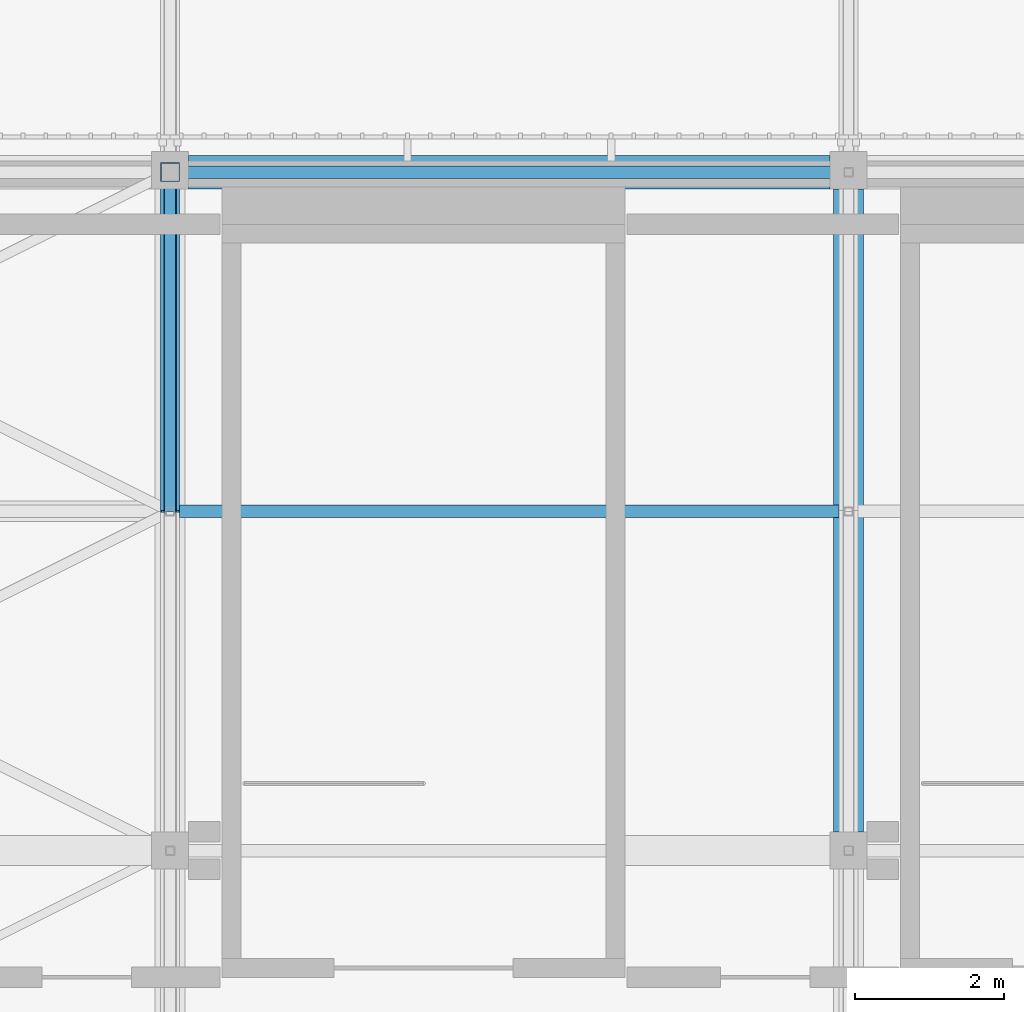
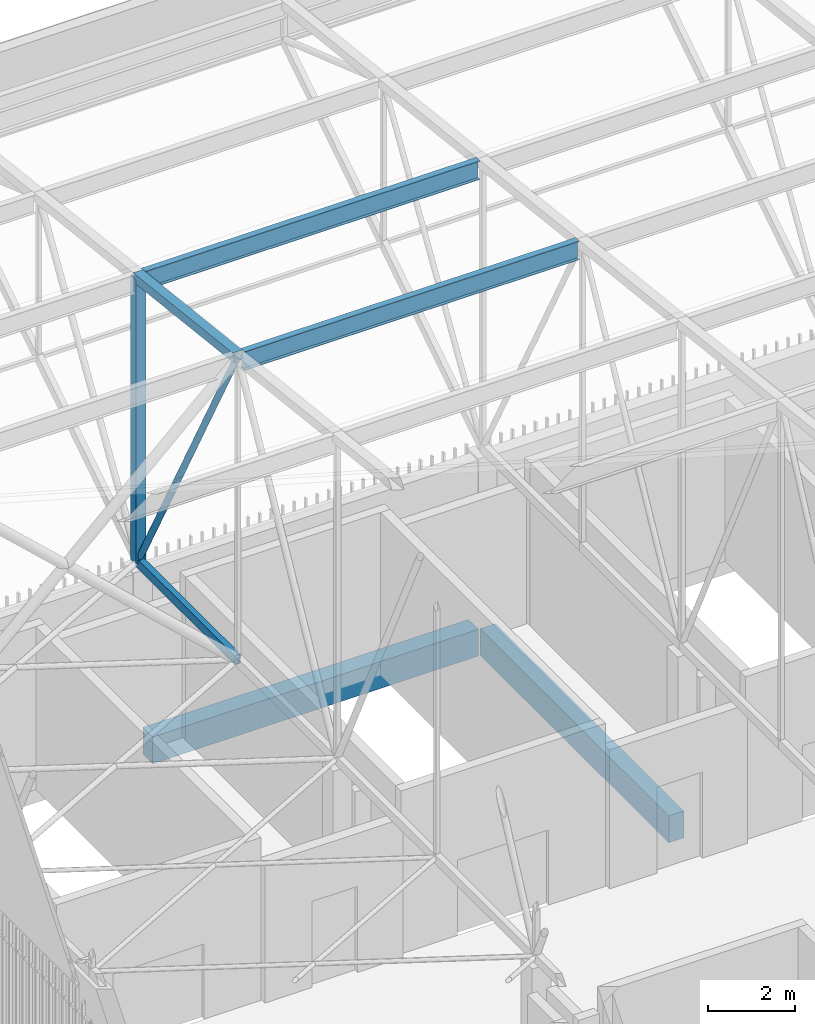
# One storey, part 232 of 500: 6 members, 2 beams.
"""IFC4 building model written with IfcOpenShell, lengths in metres."""

from ifc_helpers import new_model, si_unit, direction, frame, origin, origin_2d, place, context, subcontext, project, spatial, rectangle, hollow_rectangle, hollow_circle, i_section, extrude, material, material_profile, profile_set, type_object, element, save


model = new_model("IFC4")

# Units and contexts
model_context = context("Model", 3, precision=1e-05, world=origin(), true_north=direction((0.0, 1.0)))
body_context = subcontext(model_context, "Body", "Model", "MODEL_VIEW")
ifc_project = project(units=[si_unit("LENGTHUNIT", "METRE"), si_unit("AREAUNIT", "SQUARE_METRE"), si_unit("VOLUMEUNIT", "CUBIC_METRE"), si_unit("PLANEANGLEUNIT", "RADIAN"), si_unit("MASSUNIT", "GRAM", prefix="KILO")], contexts=[model_context])

# Site, building, storey
site_placement = place(None, origin())
site = spatial("IfcSite", under=ifc_project, at=site_placement, CompositionType="ELEMENT")
building_placement = place(site_placement, origin())
building = spatial("IfcBuilding", under=site, at=building_placement, Name="Shirokan Park Arena", CompositionType="ELEMENT")
storey_placement = place(building_placement, frame((0.0, 0.0, 29.1201171875)))
storey = spatial("IfcBuildingStorey", under=building, at=storey_placement, Name="L06", CompositionType="ELEMENT", Elevation=29.1201171875)

# Members
ifc_material_1 = material(Name="Steel ASTM A500 Grade C", Category="steel")
ifc_material_profile_1 = material_profile(ifc_material_1, hollow_rectangle(XDim=0.152099609375, YDim=0.25390625, WallThickness=0.009521484375, at=origin_2d()), Name="HSS254X152.4X9.5")
ifc_profile_set_1 = profile_set([ifc_material_profile_1], Name="Steel ASTM A500 Grade C")
member_type_1 = type_object("IfcMemberType", Name="Bottom chord HSS254X152.4X9.5", PredefinedType="CHORD", material=ifc_profile_set_1)
member_1_placement = place(storey_placement, frame((9.10009765625, 104.64990234375, 4.677001953125), z_axis=(0.0, 1.0, 0.0), x_axis=(-1.0, 0.0, 0.0)))
element("IfcMember", 1, at=member_1_placement, inside=storey, type_object=member_type_1, Name="Truss T02 bottom chord 26", PredefinedType="CHORD", context=body_context, shape_type="SweptSolid", body=[
    extrude(hollow_rectangle(XDim=0.152099609375, YDim=0.25390625, WallThickness=0.009521484375, at=origin_2d()), origin(), (0.0, 0.0, 1.0), 4.550048828125),
])
ifc_material_2 = material(Name="Steel ASTM A992", Category="steel")
ifc_material_profile_2 = material_profile(ifc_material_2, i_section(OverallWidth=0.166015625, OverallDepth=0.528076171875, WebThickness=0.009765625, FlangeThickness=0.013671875, at=origin_2d()), Name="W530X74")
ifc_profile_set_2 = profile_set([ifc_material_profile_2], Name="Steel ASTM A992")
member_type_2 = type_object("IfcMemberType", Name="Purlin W530X74", PredefinedType="PURLIN", material=ifc_profile_set_2)
for number, where, z_axis, x_axis, name in (
    (2, (9.22705078125, 104.64990234375, 13.005859375), (1.0, 0.0, 0.0), (0.0, 1.0, 0.0), "Purlin 26 bay 2"),
    (3, (9.22705078125, 109.199951171875, 12.48583984375), (1.0, 0.0, 0.0), (0.0, 1.0, 0.0), "Purlin 27 bay 2"),
):
    element("IfcMember", number, at=place(storey_placement, frame(where, z_axis=z_axis, x_axis=x_axis)), inside=storey, type_object=member_type_2, Name=name, PredefinedType="PURLIN", context=body_context, shape_type="SweptSolid", body=[
        extrude(i_section(OverallWidth=0.166015625, OverallDepth=0.528076171875, WebThickness=0.009765625, FlangeThickness=0.013671875, at=origin_2d()), origin(), (0.0, 0.0, 1.0), 8.845947265625),
    ])

# Beams
ifc_material_3 = material(Name="Concrete C35", Category="concrete")
ifc_material_profile_3 = material_profile(ifc_material_3, rectangle(XDim=0.39990234375, YDim=0.75, at=origin_2d()), Name="400x750")
ifc_profile_set_3 = profile_set([ifc_material_profile_3], Name="Concrete C35")
beam_type_1 = type_object("IfcBeamType", Name="RC girder 400x750", PredefinedType="BEAM", material=ifc_profile_set_3)
beam_1_placement = place(storey_placement, frame((18.199951171875, 100.35009765625, -0.5751953125), z_axis=(0.0, 1.0, 0.0), x_axis=(-1.0, 0.0, 0.0)))
element("IfcBeam", 4, at=beam_1_placement, inside=storey, type_object=beam_type_1, Name="Girder 3M-3N L06", PredefinedType="BEAM", context=body_context, shape_type="SweptSolid", body=[
    extrude(rectangle(XDim=0.39990234375, YDim=0.75, at=origin_2d()), origin(), (0.0, 0.0, 1.0), 8.624755859375),
])
ifc_material_profile_4 = material_profile(ifc_material_3, rectangle(XDim=0.449951171875, YDim=0.75, at=origin_2d()), Name="450x750")
ifc_profile_set_4 = profile_set([ifc_material_profile_4], Name="Concrete C35")
beam_type_2 = type_object("IfcBeamType", Name="RC girder 450x750", PredefinedType="BEAM", material=ifc_profile_set_4)
beam_2_placement = place(storey_placement, frame((9.35009765625, 109.199951171875, -0.5751953125), z_axis=(1.0, 0.0, 0.0), x_axis=(0.0, 1.0, 0.0)))
element("IfcBeam", 5, at=beam_2_placement, inside=storey, type_object=beam_type_2, Name="Girder 2N-3N L06", PredefinedType="BEAM", context=body_context, shape_type="SweptSolid", body=[
    extrude(rectangle(XDim=0.449951171875, YDim=0.75, at=origin_2d()), origin(), (0.0, 0.0, 1.0), 8.599853515625),
])

# Members
ifc_material_profile_5 = material_profile(ifc_material_1, hollow_rectangle(XDim=0.25390625, YDim=0.25390625, WallThickness=0.009521484375, at=origin_2d()), Name="HSS254X254X9.5")
ifc_profile_set_5 = profile_set([ifc_material_profile_5], Name="Steel ASTM A500 Grade C")
member_type_3 = type_object("IfcMemberType", Name="Top chord HSS254X254X9.5", PredefinedType="CHORD", material=ifc_profile_set_5)
member_2_placement = place(storey_placement, frame((9.10009765625, 104.64990234375, 13.142822265625), z_axis=(0.0, 0.993532328996, -0.113549598152), x_axis=(-1.0, 0.0, 0.0)))
element("IfcMember", 6, at=member_2_placement, inside=storey, type_object=member_type_3, Name="Truss T02 top chord 26", PredefinedType="CHORD", context=body_context, shape_type="SweptSolid", body=[
    extrude(hollow_rectangle(XDim=0.25390625, YDim=0.25390625, WallThickness=0.009521484375, at=origin_2d()), origin(), (0.0, 0.0, 1.0), 4.57958984375),
])
ifc_material_profile_6 = material_profile(ifc_material_1, hollow_circle(Radius=0.083984375, WallThickness=0.009521484375, at=origin_2d()), Name="HSS168.3X9.5")
ifc_profile_set_6 = profile_set([ifc_material_profile_6], Name="Steel ASTM A500 Grade C")
member_type_4 = type_object("IfcMemberType", Name="Truss diagonal HSS168.3X9.5", PredefinedType="BRACE", material=ifc_profile_set_6)
member_3_placement = place(storey_placement, frame((9.10009765625, 104.64990234375, 13.142822265625), z_axis=(0.0, 0.473416507165, -0.880838697347), x_axis=(-1.0, 0.0, 0.0)))
element("IfcMember", 7, at=member_3_placement, inside=storey, type_object=member_type_4, Name="Truss T02 diagonal 26", PredefinedType="BRACE", context=body_context, shape_type="SweptSolid", body=[
    extrude(hollow_circle(Radius=0.083984375, WallThickness=0.009521484375, at=origin_2d()), origin(), (0.0, 0.0, 1.0), 9.611083984375),
])
ifc_material_profile_7 = material_profile(ifc_material_1, hollow_rectangle(XDim=0.25390625, YDim=0.25390625, WallThickness=0.009521484375, at=origin_2d()), Name="HSS254X254X9.5")
ifc_profile_set_7 = profile_set([ifc_material_profile_7], Name="Steel ASTM A500 Grade C")
member_type_5 = type_object("IfcMemberType", Name="Truss post HSS254X254X9.5", PredefinedType="POST", material=ifc_profile_set_7)
member_4_placement = place(storey_placement, frame((9.10009765625, 109.199951171875, 4.677001953125), z_axis=(0.0, 0.0, 1.0), x_axis=(1.0, 0.0, 0.0)))
element("IfcMember", 8, at=member_4_placement, inside=storey, type_object=member_type_5, Name="Truss T02 post 27", PredefinedType="POST", context=body_context, shape_type="SweptSolid", body=[
    extrude(hollow_rectangle(XDim=0.25390625, YDim=0.25390625, WallThickness=0.009521484375, at=origin_2d()), origin(), (0.0, 0.0, 1.0), 7.94580078125),
])

save(model, "model.ifc")
